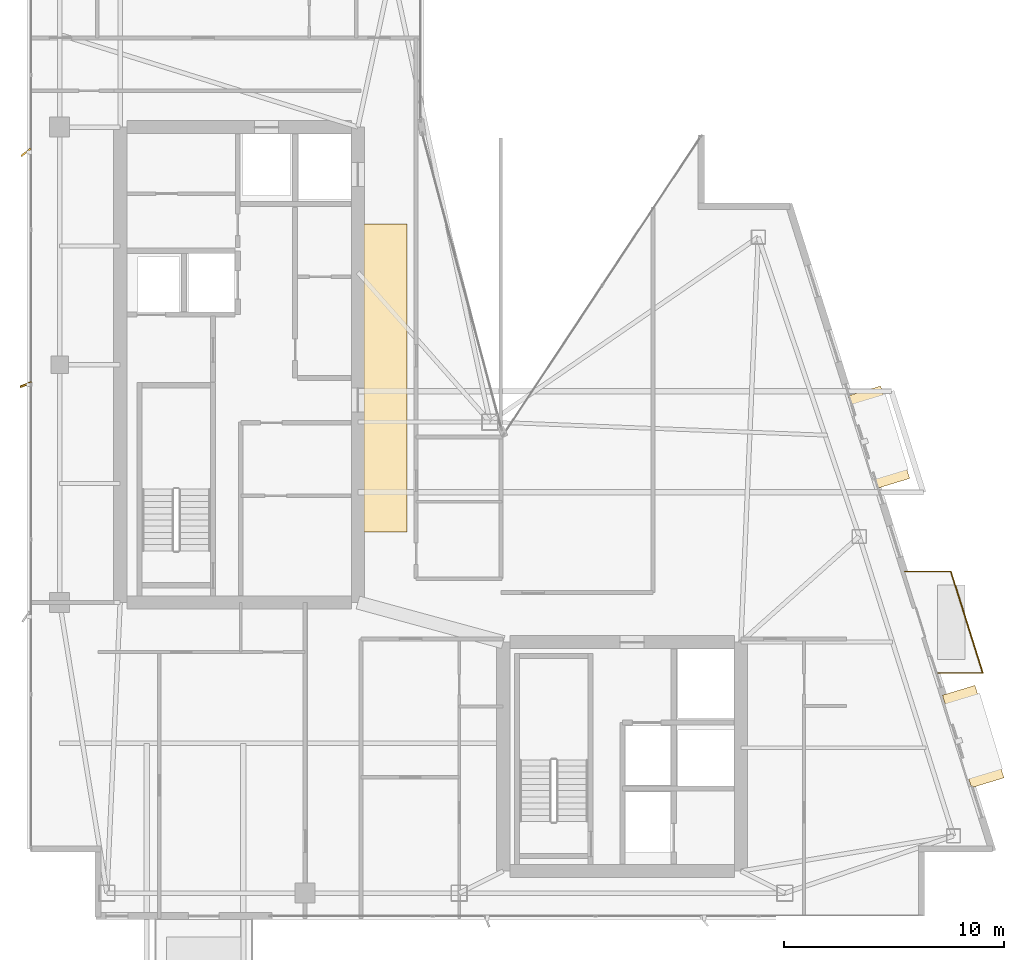
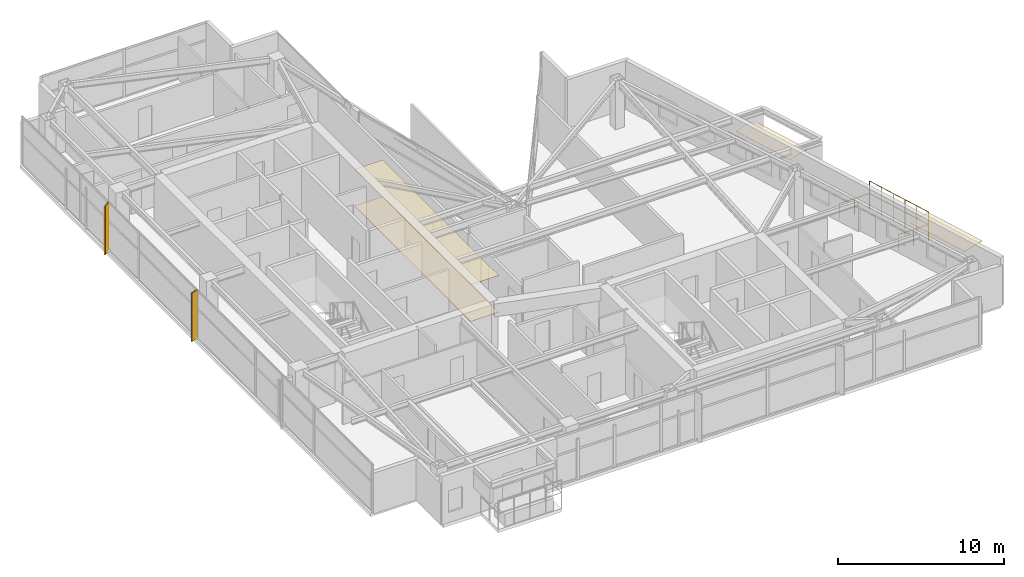
# One storey, part 28 of 28: 4 coverings, 2 railings, 2 shading devices.
"""IFC4 building model written with IfcOpenShell, lengths in metres."""

from ifc_helpers import new_model, si_unit, direction, frame, origin, origin_2d, place, context, subcontext, project, spatial, polyline, rectangle, circle, outline, extrude, material, layer, layer_set, type_object, element, save


model = new_model("IFC4")

# Units and contexts
model_context = context("Model", 3, precision=1e-05, world=origin(), true_north=direction((0.0, 1.0)))
body_context = subcontext(model_context, "Body", "Model", "MODEL_VIEW")
ifc_project = project(units=[si_unit("LENGTHUNIT", "METRE"), si_unit("AREAUNIT", "SQUARE_METRE"), si_unit("VOLUMEUNIT", "CUBIC_METRE"), si_unit("PLANEANGLEUNIT", "RADIAN"), si_unit("MASSUNIT", "GRAM", prefix="KILO")], contexts=[model_context])

# Site, building, storey
site_placement = place(None, origin())
site = spatial("IfcSite", under=ifc_project, at=site_placement, CompositionType="ELEMENT")
building_placement = place(site_placement, origin())
building = spatial("IfcBuilding", under=site, at=building_placement, Name="Calvorn Quay Hotel", CompositionType="ELEMENT")
storey_placement = place(building_placement, frame((0.0, 0.0, 274.89990234375)))
storey = spatial("IfcBuildingStorey", under=building, at=storey_placement, Name="L68", CompositionType="ELEMENT", Elevation=274.89990234375)

# Coverings
ifc_material_1 = material(Name="Mineral-Fibre Acoustic Ceiling Tile")
ifc_layer_1 = layer(ifc_material_1, 0.02001953125)
ifc_layer_set_1 = layer_set([ifc_layer_1], Name="COV-CEILING-ACOUSTIC")
covering_type_1 = type_object("IfcCoveringType", Name="COV-CEILING-ACOUSTIC", PredefinedType="CEILING", material=ifc_layer_set_1)
covering_1_placement = place(storey_placement, frame((16.25, 27.0, 2.7001953125), z_axis=(0.0, 0.0, 1.0), x_axis=(1.0, 0.0, 0.0)))
element("IfcCovering", 1, at=covering_1_placement, inside=storey, type_object=covering_type_1, Name="Acoustic Suspended Ceiling (L68)", PredefinedType="CEILING", context=body_context, shape_type="SweptSolid", body=[
    extrude(rectangle(XDim=1.9599609375, YDim=14.0, at=origin_2d()), origin(), (0.0, 0.0, 1.0), 0.02001953125),
])
ifc_material_2 = material(Name="Pale Anodised Aluminium Rainscreen Cladding", Category="aluminium")
ifc_layer_2 = layer(ifc_material_2, 0.044921875)
ifc_layer_set_2 = layer_set([ifc_layer_2], Name="COV-CROWN-CLAD")
covering_type_2 = type_object("IfcCoveringType", Name="COV-CROWN-CLAD", PredefinedType="CLADDING", material=ifc_layer_set_2)
covering_2_placement = place(storey_placement, frame((0.0, 0.0, 2.505126953125)))
element("IfcCovering", 2, at=covering_2_placement, inside=storey, type_object=covering_type_2, Name="Angled Bay Hood Canopy L68-HOOD-1", PredefinedType="CLADDING", context=body_context, shape_type="SweptSolid", body=[
    extrude(outline(polyline([(41.556884765625, 12.587890625), (43.030029296875, 13.034912109375), (44.35302734375, 8.8349609375), (42.8798828125, 8.387939453125), (41.556884765625, 12.587890625)])), origin(), (0.0, 0.0, 1.0), 0.044921875),
])
covering_3_placement = place(storey_placement, frame((0.0, 0.0, 2.505126953125)))
element("IfcCovering", 3, at=covering_3_placement, inside=storey, type_object=covering_type_2, Name="Angled Bay Hood Canopy L68-HOOD-3", PredefinedType="CLADDING", context=body_context, shape_type="SweptSolid", body=[
    extrude(outline(polyline([(37.27197265625, 26.18798828125), (38.7451171875, 26.635009765625), (40.069091796875, 22.43505859375), (38.594970703125, 21.988037109375), (37.27197265625, 26.18798828125)])), origin(), (0.0, 0.0, 1.0), 0.044921875),
])
ifc_material_3 = material(Name="Woven Wool Hospitality Carpet")
ifc_layer_3 = layer(ifc_material_3, 0.02392578125)
ifc_layer_set_3 = layer_set([ifc_layer_3], Name="COV-FLOOR-CARPET")
covering_type_3 = type_object("IfcCoveringType", Name="COV-FLOOR-CARPET", PredefinedType="FLOORING", material=ifc_layer_set_3)
covering_4_placement = place(storey_placement, frame((16.25, 27.0, 0.000244140625), z_axis=(0.0, 0.0, 1.0), x_axis=(1.0, 0.0, 0.0)))
element("IfcCovering", 4, at=covering_4_placement, inside=storey, type_object=covering_type_3, Name="Interior Floor Finish (L68)", PredefinedType="FLOORING", context=body_context, shape_type="SweptSolid", body=[
    extrude(rectangle(XDim=1.9599609375, YDim=14.0, at=origin_2d()), origin(), (0.0, 0.0, 1.0), 0.02392578125),
])

# Railings
ifc_material_4 = material(Name="Pale Anodised Aluminium and Laminated Glass", Category="aluminium")
railing_type = type_object("IfcRailingType", Name="RLG-BALUSTRADE-1200", PredefinedType="BALUSTRADE", material=ifc_material_4)
railing_1_placement = place(storey_placement, frame((41.2890625, 13.60009765625, 0.0)))
element("IfcRailing", 5, at=railing_1_placement, inside=storey, type_object=railing_type, Name="Tree Balcony Perimeter Balustrade L68-BALC-E", PredefinedType="BALUSTRADE", context=body_context, shape_type="SweptSolid", body=[
    extrude(circle(Radius=0.02392578125, at=origin_2d()), frame((0.0, 0.0, 1.17578125), z_axis=(1.0, 0.0, 0.0), x_axis=(0.0, 1.0, 0.0)), (0.0, 0.0, 1.0), 2.099853515625),
    extrude(circle(Radius=0.02392578125, at=origin_2d()), frame((2.099853515625, 0.0, 1.17578125), z_axis=(-0.300450487966, 0.953797412599, 0.0), x_axis=(-0.953797412599, -0.300450487966, 0.0)), (0.0, 0.0, 1.0), 4.82275390625),
    extrude(circle(Radius=0.02392578125, at=origin_2d()), frame((0.65087890625, 4.599853515625, 1.17578125), z_axis=(-1.0, 0.0, 0.0), x_axis=(0.0, -1.0, 0.0)), (0.0, 0.0, 1.0), 2.099853515625),
    extrude(circle(Radius=0.02099609375, at=origin_2d()), origin(), (0.0, 0.0, 1.0), 1.15185546875),
    extrude(circle(Radius=0.02099609375, at=origin_2d()), frame((1.0498046875, 0.0, 0.0)), (0.0, 0.0, 1.0), 1.15185546875),
    extrude(circle(Radius=0.02099609375, at=origin_2d()), frame((2.099853515625, 0.0, 0.0)), (0.0, 0.0, 1.0), 1.15185546875),
    extrude(circle(Radius=0.02099609375, at=origin_2d()), frame((1.81005859375, 0.919921875, 0.0)), (0.0, 0.0, 1.0), 1.15185546875),
    extrude(circle(Radius=0.02099609375, at=origin_2d()), frame((1.520263671875, 1.83984375, 0.0)), (0.0, 0.0, 1.0), 1.15185546875),
    extrude(circle(Radius=0.02099609375, at=origin_2d()), frame((1.23046875, 2.760009765625, 0.0)), (0.0, 0.0, 1.0), 1.15185546875),
    extrude(circle(Radius=0.02099609375, at=origin_2d()), frame((0.940673828125, 3.679931640625, 0.0)), (0.0, 0.0, 1.0), 1.15185546875),
    extrude(circle(Radius=0.02099609375, at=origin_2d()), frame((0.65087890625, 4.599853515625, 0.0)), (0.0, 0.0, 1.0), 1.15185546875),
    extrude(circle(Radius=0.02099609375, at=origin_2d()), frame((-0.39892578125, 4.599853515625, 0.0)), (0.0, 0.0, 1.0), 1.15185546875),
    extrude(circle(Radius=0.02099609375, at=origin_2d()), frame((-1.448974609375, 4.599853515625, 0.0)), (0.0, 0.0, 1.0), 1.15185546875),
])
railing_2_placement = place(storey_placement, frame((43.388916015625, 13.60009765625, 0.900146484375)))
element("IfcRailing", 6, at=railing_2_placement, inside=storey, type_object=railing_type, Name="Planter Kerb High Safety Screen L68-BALC-E", PredefinedType="BALUSTRADE", context=body_context, shape_type="SweptSolid", body=[
    extrude(circle(Radius=0.02392578125, at=origin_2d()), frame((0.0, 0.0, 1.19580078125), z_axis=(-0.300450487966, 0.953797412599, 0.0), x_axis=(-0.953797412599, -0.300450487966, 0.0)), (0.0, 0.0, 1.0), 4.82275390625),
    extrude(circle(Radius=0.02099609375, at=origin_2d()), origin(), (0.0, 0.0, 1.0), 1.171875),
    extrude(circle(Radius=0.02099609375, at=origin_2d()), frame((-0.289794921875, 0.919921875, 0.0)), (0.0, 0.0, 1.0), 1.171875),
    extrude(circle(Radius=0.02099609375, at=origin_2d()), frame((-0.57958984375, 1.83984375, 0.0)), (0.0, 0.0, 1.0), 1.171875),
    extrude(circle(Radius=0.02099609375, at=origin_2d()), frame((-0.869384765625, 2.760009765625, 0.0)), (0.0, 0.0, 1.0), 1.171875),
    extrude(circle(Radius=0.02099609375, at=origin_2d()), frame((-1.1591796875, 3.679931640625, 0.0)), (0.0, 0.0, 1.0), 1.171875),
    extrude(circle(Radius=0.02099609375, at=origin_2d()), frame((-1.448974609375, 4.599853515625, 0.0)), (0.0, 0.0, 1.0), 1.171875),
])

# Shading devices
ifc_material_5 = material(Name="Champagne Bronze Anodised Aluminium 6063-T6", Category="aluminium")
shading_device_type_1 = type_object("IfcShadingDeviceType", Name="SHD-FIN-A1", PredefinedType="USERDEFINED", material=ifc_material_5)
shading_device_1_placement = place(storey_placement, frame((-0.080078125, 26.699951171875, 0.0), z_axis=(0.0, 0.0, 1.0), x_axis=(0.927183854567, 0.374606593416, 0.0)))
element("IfcShadingDevice", 7, at=shading_device_1_placement, inside=storey, type_object=shading_device_type_1, Name="Diagonal Sun-Shading Fin L68-W02", ObjectType="FIN", PredefinedType="USERDEFINED", context=body_context, shape_type="SweptSolid", body=[
    extrude(rectangle(XDim=0.550048828125, YDim=0.080078125, at=origin_2d()), origin(), (0.0, 0.0, 1.0), 3.56005859375),
])
ifc_material_6 = material(Name="Champagne Bronze Anodised Aluminium 6063-T6", Category="aluminium")
shading_device_type_2 = type_object("IfcShadingDeviceType", Name="SHD-FIN-A2", PredefinedType="USERDEFINED", material=ifc_material_6)
shading_device_2_placement = place(storey_placement, frame((-0.080078125, 37.25, 0.0), z_axis=(0.0, 0.0, 1.0), x_axis=(0.788010753607, 0.615661475326, 0.0)))
element("IfcShadingDevice", 8, at=shading_device_2_placement, inside=storey, type_object=shading_device_type_2, Name="Diagonal Sun-Shading Fin L68-W03", ObjectType="FIN", PredefinedType="USERDEFINED", context=body_context, shape_type="SweptSolid", body=[
    extrude(rectangle(XDim=0.550048828125, YDim=0.080078125, at=origin_2d()), origin(), (0.0, 0.0, 1.0), 3.56005859375),
])

save(model, "model.ifc")
